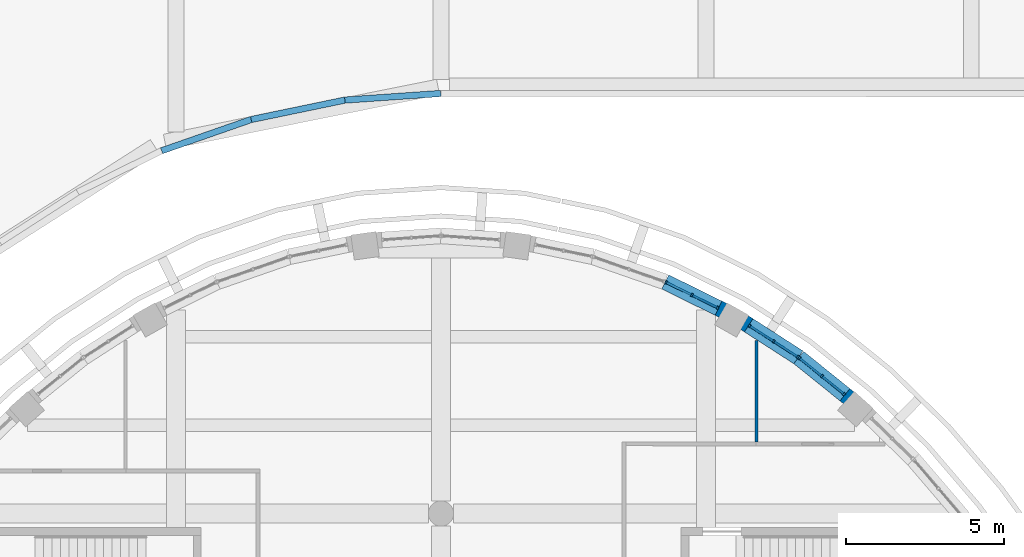
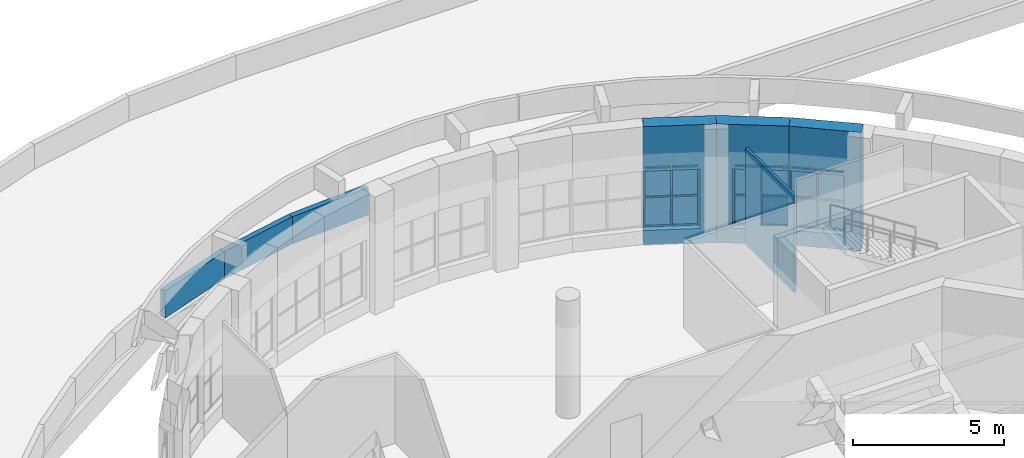
# One storey, part 37 of 79: 27 members, 12 plates, 7 walls, 3 openings, 3 elements without a shape of their own.
"""IFC4 building model written with IfcOpenShell, lengths in metres."""

from ifc_helpers import new_model, si_unit, direction, frame, frame_2d, origin, origin_2d, place, context, subcontext, project, spatial, rectangle, extrude, material, layer, layer_set, material_profile, profile_set, type_object, element, fill, aggregate, save


model = new_model("IFC4")

# Units and contexts
model_context = context("Model", 3, precision=1e-05, world=origin(), true_north=direction((0.0, 1.0)))
body_context = subcontext(model_context, "Body", "Model", "MODEL_VIEW")
ifc_project = project(units=[si_unit("LENGTHUNIT", "METRE"), si_unit("AREAUNIT", "SQUARE_METRE"), si_unit("VOLUMEUNIT", "CUBIC_METRE"), si_unit("PLANEANGLEUNIT", "RADIAN"), si_unit("MASSUNIT", "GRAM", prefix="KILO")], contexts=[model_context])

# Site, building, storey
site_placement = place(None, origin())
site = spatial("IfcSite", under=ifc_project, at=site_placement, CompositionType="ELEMENT")
building_placement = place(site_placement, origin())
building = spatial("IfcBuilding", under=site, at=building_placement, Name="Larchfold Concert Hall", CompositionType="ELEMENT")
storey_placement = place(building_placement, frame((0.0, 0.0, 14.39990234375)))
storey = spatial("IfcBuildingStorey", under=building, at=storey_placement, Name="L03", CompositionType="ELEMENT", Elevation=14.39990234375)

# Curtain wall, members
ifc_material_1 = material(Name="Anodised graphite aluminium curtain wall", Category="aluminium")
ifc_layer_1 = layer(ifc_material_1, 0.10009765625)
ifc_layer_set_1 = layer_set([ifc_layer_1], Name="Anodised graphite aluminium curtain wall")
curtain_wall_type = type_object("IfcCurtainWallType", Name="Curtain wall GB", PredefinedType="NOTDEFINED", material=ifc_layer_set_1)
curtain_wall_1_placement = place(storey_placement, origin())
curtain_wall_1 = element("IfcCurtainWall", 1, at=curtain_wall_1_placement, inside=storey, type_object=curtain_wall_type, Name="Curtain wall CW0014", PredefinedType="NOTDEFINED")
ifc_material_2 = material(Name="Anodised graphite aluminium mullion", Category="aluminium")
ifc_material_profile_1 = material_profile(ifc_material_2, rectangle(XDim=0.10009765625, YDim=0.06005859375, at=origin_2d()))
ifc_profile_set_1 = profile_set([ifc_material_profile_1], Name="Anodised graphite aluminium mullion")
member_type_1 = type_object("IfcMemberType", Name="Aluminium mullion 60x100", PredefinedType="MULLION", material=ifc_profile_set_1)
member_1_placement = place(storey_placement, frame((55.375244140625, 113.5830078125, 0.60009765625), z_axis=(0.0, 0.0, 1.0), x_axis=(-0.627017083036, -0.779005505488, 0.0)))
member_1 = element("IfcMember", 2, at=member_1_placement, type_object=member_type_1, Name="CW0014 mullion 1", PredefinedType="MULLION", context=body_context, shape_type="SweptSolid", body=[
    extrude(rectangle(XDim=0.10009765625, YDim=0.06005859375, at=origin_2d()), origin(), (0.0, 0.0, 1.0), 2.39990234375),
])
member_2_placement = place(storey_placement, frame((54.665283203125, 114.154296875, 0.60009765625), z_axis=(0.0, 0.0, 1.0), x_axis=(-0.627017083036, -0.779005505488, 0.0)))
member_2 = element("IfcMember", 3, at=member_2_placement, type_object=member_type_1, Name="CW0014 mullion 2", PredefinedType="MULLION", context=body_context, shape_type="SweptSolid", body=[
    extrude(rectangle(XDim=0.10009765625, YDim=0.06005859375, at=origin_2d()), origin(), (0.0, 0.0, 1.0), 2.39990234375),
])
member_3_placement = place(storey_placement, frame((53.95556640625, 114.725830078125, 0.60009765625), z_axis=(0.0, 0.0, 1.0), x_axis=(-0.627017083036, -0.779005505488, 0.0)))
member_3 = element("IfcMember", 4, at=member_3_placement, type_object=member_type_1, Name="CW0014 mullion 3", PredefinedType="MULLION", context=body_context, shape_type="SweptSolid", body=[
    extrude(rectangle(XDim=0.10009765625, YDim=0.06005859375, at=origin_2d()), origin(), (0.0, 0.0, 1.0), 2.39990234375),
])

curtain_wall_2_placement = place(storey_placement, origin())
curtain_wall_2 = element("IfcCurtainWall", 5, at=curtain_wall_2_placement, inside=storey, type_object=curtain_wall_type, Name="Curtain wall CW0015", PredefinedType="NOTDEFINED")
member_4_placement = place(storey_placement, frame((53.906982421875, 114.760986328125, 0.60009765625), z_axis=(0.0, 0.0, 1.0), x_axis=(-0.541792977535, -0.84051196868, 0.0)))
member_4 = element("IfcMember", 6, at=member_4_placement, type_object=member_type_1, Name="CW0015 mullion 1", PredefinedType="MULLION", context=body_context, shape_type="SweptSolid", body=[
    extrude(rectangle(XDim=0.10009765625, YDim=0.06005859375, at=origin_2d()), origin(), (0.0, 0.0, 1.0), 2.39990234375),
])
member_5_placement = place(storey_placement, frame((53.14111328125, 115.254638671875, 0.60009765625), z_axis=(0.0, 0.0, 1.0), x_axis=(-0.541792977535, -0.84051196868, 0.0)))
member_5 = element("IfcMember", 7, at=member_5_placement, type_object=member_type_1, Name="CW0015 mullion 2", PredefinedType="MULLION", context=body_context, shape_type="SweptSolid", body=[
    extrude(rectangle(XDim=0.10009765625, YDim=0.06005859375, at=origin_2d()), origin(), (0.0, 0.0, 1.0), 2.39990234375),
])
member_6_placement = place(storey_placement, frame((52.375244140625, 115.748046875, 0.60009765625), z_axis=(0.0, 0.0, 1.0), x_axis=(-0.541792977535, -0.84051196868, 0.0)))
member_6 = element("IfcMember", 8, at=member_6_placement, type_object=member_type_1, Name="CW0015 mullion 3", PredefinedType="MULLION", context=body_context, shape_type="SweptSolid", body=[
    extrude(rectangle(XDim=0.10009765625, YDim=0.06005859375, at=origin_2d()), origin(), (0.0, 0.0, 1.0), 2.39990234375),
])

curtain_wall_3_placement = place(storey_placement, origin())
curtain_wall_3 = element("IfcCurtainWall", 9, at=curtain_wall_3_placement, inside=storey, type_object=curtain_wall_type, Name="Curtain wall CW0016", PredefinedType="NOTDEFINED")
member_7_placement = place(storey_placement, frame((51.3662109375, 116.319580078125, 0.60009765625), z_axis=(0.0, 0.0, 1.0), x_axis=(-0.442432584738, -0.896801766257, 0.0)))
member_7 = element("IfcMember", 10, at=member_7_placement, type_object=member_type_1, Name="CW0016 mullion 1", PredefinedType="MULLION", context=body_context, shape_type="SweptSolid", body=[
    extrude(rectangle(XDim=0.10009765625, YDim=0.06005859375, at=origin_2d()), origin(), (0.0, 0.0, 1.0), 2.39990234375),
])
member_8_placement = place(storey_placement, frame((50.54931640625, 116.72265625, 0.60009765625), z_axis=(0.0, 0.0, 1.0), x_axis=(-0.442432584738, -0.896801766257, 0.0)))
member_8 = element("IfcMember", 11, at=member_8_placement, type_object=member_type_1, Name="CW0016 mullion 2", PredefinedType="MULLION", context=body_context, shape_type="SweptSolid", body=[
    extrude(rectangle(XDim=0.10009765625, YDim=0.06005859375, at=origin_2d()), origin(), (0.0, 0.0, 1.0), 2.39990234375),
])
member_9_placement = place(storey_placement, frame((49.732421875, 117.125732421875, 0.60009765625), z_axis=(0.0, 0.0, 1.0), x_axis=(-0.442432584738, -0.896801766257, 0.0)))
member_9 = element("IfcMember", 12, at=member_9_placement, type_object=member_type_1, Name="CW0016 mullion 3", PredefinedType="MULLION", context=body_context, shape_type="SweptSolid", body=[
    extrude(rectangle(XDim=0.10009765625, YDim=0.06005859375, at=origin_2d()), origin(), (0.0, 0.0, 1.0), 2.39990234375),
])

# Member
ifc_material_3 = material(Name="Anodised graphite aluminium transom", Category="aluminium")
ifc_material_profile_2 = material_profile(ifc_material_3, rectangle(XDim=0.080078125, YDim=0.06005859375, at=origin_2d()))
ifc_profile_set_2 = profile_set([ifc_material_profile_2], Name="Anodised graphite aluminium transom")
member_type_2 = type_object("IfcMemberType", Name="Aluminium transom 60x80", PredefinedType="USERDEFINED", material=ifc_profile_set_2)
member_10_placement = place(storey_placement, frame((55.35205078125, 113.601806640625, 0.630126953125), z_axis=(-0.779131241364, 0.626860836813, 0.0), x_axis=(-0.626860836813, -0.779131241364, 0.0)))
member_10 = element("IfcMember", 13, at=member_10_placement, type_object=member_type_2, Name="CW0014 transom 1.1", ObjectType="TRANSOM", PredefinedType="USERDEFINED", context=body_context, shape_type="SweptSolid", body=[
    extrude(rectangle(XDim=0.080078125, YDim=0.06005859375, at=origin_2d()), origin(), (0.0, 0.0, 1.0), 0.851318359375),
])

member_11_placement = place(storey_placement, frame((55.35205078125, 113.601806640625, 1.800048828125), z_axis=(-0.779131241364, 0.626860836813, 0.0), x_axis=(-0.626860836813, -0.779131241364, 0.0)))
member_11 = element("IfcMember", 14, at=member_11_placement, type_object=member_type_2, Name="CW0014 transom 1.2", ObjectType="TRANSOM", PredefinedType="USERDEFINED", context=body_context, shape_type="SweptSolid", body=[
    extrude(rectangle(XDim=0.080078125, YDim=0.06005859375, at=origin_2d()), origin(), (0.0, 0.0, 1.0), 0.851318359375),
])

member_12_placement = place(storey_placement, frame((55.35205078125, 113.601806640625, 2.969970703125), z_axis=(-0.779131241364, 0.626860836813, 0.0), x_axis=(-0.626860836813, -0.779131241364, 0.0)))
member_12 = element("IfcMember", 15, at=member_12_placement, type_object=member_type_2, Name="CW0014 transom 1.3", ObjectType="TRANSOM", PredefinedType="USERDEFINED", context=body_context, shape_type="SweptSolid", body=[
    extrude(rectangle(XDim=0.080078125, YDim=0.06005859375, at=origin_2d()), origin(), (0.0, 0.0, 1.0), 0.851318359375),
])

member_13_placement = place(storey_placement, frame((54.64208984375, 114.17333984375, 0.630126953125), z_axis=(-0.779131241364, 0.626860836813, 0.0), x_axis=(-0.626860836813, -0.779131241364, 0.0)))
member_13 = element("IfcMember", 16, at=member_13_placement, type_object=member_type_2, Name="CW0014 transom 2.1", ObjectType="TRANSOM", PredefinedType="USERDEFINED", context=body_context, shape_type="SweptSolid", body=[
    extrude(rectangle(XDim=0.080078125, YDim=0.06005859375, at=origin_2d()), origin(), (0.0, 0.0, 1.0), 0.851318359375),
])

member_14_placement = place(storey_placement, frame((54.64208984375, 114.17333984375, 1.800048828125), z_axis=(-0.779131241364, 0.626860836813, 0.0), x_axis=(-0.626860836813, -0.779131241364, 0.0)))
member_14 = element("IfcMember", 17, at=member_14_placement, type_object=member_type_2, Name="CW0014 transom 2.2", ObjectType="TRANSOM", PredefinedType="USERDEFINED", context=body_context, shape_type="SweptSolid", body=[
    extrude(rectangle(XDim=0.080078125, YDim=0.06005859375, at=origin_2d()), origin(), (0.0, 0.0, 1.0), 0.851318359375),
])

member_15_placement = place(storey_placement, frame((54.64208984375, 114.17333984375, 2.969970703125), z_axis=(-0.779131241364, 0.626860836813, 0.0), x_axis=(-0.626860836813, -0.779131241364, 0.0)))
member_15 = element("IfcMember", 18, at=member_15_placement, type_object=member_type_2, Name="CW0014 transom 2.3", ObjectType="TRANSOM", PredefinedType="USERDEFINED", context=body_context, shape_type="SweptSolid", body=[
    extrude(rectangle(XDim=0.080078125, YDim=0.06005859375, at=origin_2d()), origin(), (0.0, 0.0, 1.0), 0.851318359375),
])

member_16_placement = place(storey_placement, frame((53.881591796875, 114.777099609375, 0.630126953125), z_axis=(-0.840469431903, 0.541858961388, 0.0), x_axis=(-0.541858961388, -0.840469431903, 0.0)))
member_16 = element("IfcMember", 19, at=member_16_placement, type_object=member_type_2, Name="CW0015 transom 1.1", ObjectType="TRANSOM", PredefinedType="USERDEFINED", context=body_context, shape_type="SweptSolid", body=[
    extrude(rectangle(XDim=0.080078125, YDim=0.06005859375, at=origin_2d()), origin(), (0.0, 0.0, 1.0), 0.85107421875),
])

member_17_placement = place(storey_placement, frame((53.881591796875, 114.777099609375, 1.800048828125), z_axis=(-0.840469431903, 0.541858961388, 0.0), x_axis=(-0.541858961388, -0.840469431903, 0.0)))
member_17 = element("IfcMember", 20, at=member_17_placement, type_object=member_type_2, Name="CW0015 transom 1.2", ObjectType="TRANSOM", PredefinedType="USERDEFINED", context=body_context, shape_type="SweptSolid", body=[
    extrude(rectangle(XDim=0.080078125, YDim=0.06005859375, at=origin_2d()), origin(), (0.0, 0.0, 1.0), 0.85107421875),
])

member_18_placement = place(storey_placement, frame((53.881591796875, 114.777099609375, 2.969970703125), z_axis=(-0.840469431903, 0.541858961388, 0.0), x_axis=(-0.541858961388, -0.840469431903, 0.0)))
member_18 = element("IfcMember", 21, at=member_18_placement, type_object=member_type_2, Name="CW0015 transom 1.3", ObjectType="TRANSOM", PredefinedType="USERDEFINED", context=body_context, shape_type="SweptSolid", body=[
    extrude(rectangle(XDim=0.080078125, YDim=0.06005859375, at=origin_2d()), origin(), (0.0, 0.0, 1.0), 0.85107421875),
])

member_19_placement = place(storey_placement, frame((53.115966796875, 115.270751953125, 0.630126953125), z_axis=(-0.840469431903, 0.541858961388, 0.0), x_axis=(-0.541858961388, -0.840469431903, 0.0)))
member_19 = element("IfcMember", 22, at=member_19_placement, type_object=member_type_2, Name="CW0015 transom 2.1", ObjectType="TRANSOM", PredefinedType="USERDEFINED", context=body_context, shape_type="SweptSolid", body=[
    extrude(rectangle(XDim=0.080078125, YDim=0.06005859375, at=origin_2d()), origin(), (0.0, 0.0, 1.0), 0.85107421875),
])

member_20_placement = place(storey_placement, frame((53.115966796875, 115.270751953125, 1.800048828125), z_axis=(-0.840469431903, 0.541858961388, 0.0), x_axis=(-0.541858961388, -0.840469431903, 0.0)))
member_20 = element("IfcMember", 23, at=member_20_placement, type_object=member_type_2, Name="CW0015 transom 2.2", ObjectType="TRANSOM", PredefinedType="USERDEFINED", context=body_context, shape_type="SweptSolid", body=[
    extrude(rectangle(XDim=0.080078125, YDim=0.06005859375, at=origin_2d()), origin(), (0.0, 0.0, 1.0), 0.85107421875),
])

member_21_placement = place(storey_placement, frame((53.115966796875, 115.270751953125, 2.969970703125), z_axis=(-0.840469431903, 0.541858961388, 0.0), x_axis=(-0.541858961388, -0.840469431903, 0.0)))
member_21 = element("IfcMember", 24, at=member_21_placement, type_object=member_type_2, Name="CW0015 transom 2.3", ObjectType="TRANSOM", PredefinedType="USERDEFINED", context=body_context, shape_type="SweptSolid", body=[
    extrude(rectangle(XDim=0.080078125, YDim=0.06005859375, at=origin_2d()), origin(), (0.0, 0.0, 1.0), 0.85107421875),
])

member_22_placement = place(storey_placement, frame((51.33935546875, 116.3330078125, 0.630126953125), z_axis=(-0.89682409677, 0.442387318368, 0.0), x_axis=(-0.442387318368, -0.89682409677, 0.0)))
member_22 = element("IfcMember", 25, at=member_22_placement, type_object=member_type_2, Name="CW0016 transom 1.1", ObjectType="TRANSOM", PredefinedType="USERDEFINED", context=body_context, shape_type="SweptSolid", body=[
    extrude(rectangle(XDim=0.080078125, YDim=0.06005859375, at=origin_2d()), origin(), (0.0, 0.0, 1.0), 0.85107421875),
])

member_23_placement = place(storey_placement, frame((51.33935546875, 116.3330078125, 1.800048828125), z_axis=(-0.89682409677, 0.442387318368, 0.0), x_axis=(-0.442387318368, -0.89682409677, 0.0)))
member_23 = element("IfcMember", 26, at=member_23_placement, type_object=member_type_2, Name="CW0016 transom 1.2", ObjectType="TRANSOM", PredefinedType="USERDEFINED", context=body_context, shape_type="SweptSolid", body=[
    extrude(rectangle(XDim=0.080078125, YDim=0.06005859375, at=origin_2d()), origin(), (0.0, 0.0, 1.0), 0.85107421875),
])

member_24_placement = place(storey_placement, frame((51.33935546875, 116.3330078125, 2.969970703125), z_axis=(-0.89682409677, 0.442387318368, 0.0), x_axis=(-0.442387318368, -0.89682409677, 0.0)))
member_24 = element("IfcMember", 27, at=member_24_placement, type_object=member_type_2, Name="CW0016 transom 1.3", ObjectType="TRANSOM", PredefinedType="USERDEFINED", context=body_context, shape_type="SweptSolid", body=[
    extrude(rectangle(XDim=0.080078125, YDim=0.06005859375, at=origin_2d()), origin(), (0.0, 0.0, 1.0), 0.85107421875),
])

member_25_placement = place(storey_placement, frame((50.5224609375, 116.73583984375, 0.630126953125), z_axis=(-0.89682409677, 0.442387318368, 0.0), x_axis=(-0.442387318368, -0.89682409677, 0.0)))
member_25 = element("IfcMember", 28, at=member_25_placement, type_object=member_type_2, Name="CW0016 transom 2.1", ObjectType="TRANSOM", PredefinedType="USERDEFINED", context=body_context, shape_type="SweptSolid", body=[
    extrude(rectangle(XDim=0.080078125, YDim=0.06005859375, at=origin_2d()), origin(), (0.0, 0.0, 1.0), 0.85107421875),
])

member_26_placement = place(storey_placement, frame((50.5224609375, 116.73583984375, 1.800048828125), z_axis=(-0.89682409677, 0.442387318368, 0.0), x_axis=(-0.442387318368, -0.89682409677, 0.0)))
member_26 = element("IfcMember", 29, at=member_26_placement, type_object=member_type_2, Name="CW0016 transom 2.2", ObjectType="TRANSOM", PredefinedType="USERDEFINED", context=body_context, shape_type="SweptSolid", body=[
    extrude(rectangle(XDim=0.080078125, YDim=0.06005859375, at=origin_2d()), origin(), (0.0, 0.0, 1.0), 0.85107421875),
])

member_27_placement = place(storey_placement, frame((50.5224609375, 116.73583984375, 2.969970703125), z_axis=(-0.89682409677, 0.442387318368, 0.0), x_axis=(-0.442387318368, -0.89682409677, 0.0)))
member_27 = element("IfcMember", 30, at=member_27_placement, type_object=member_type_2, Name="CW0016 transom 2.3", ObjectType="TRANSOM", PredefinedType="USERDEFINED", context=body_context, shape_type="SweptSolid", body=[
    extrude(rectangle(XDim=0.080078125, YDim=0.06005859375, at=origin_2d()), origin(), (0.0, 0.0, 1.0), 0.85107421875),
])

# Plate
ifc_material_4 = material(Name="Insulated glazing unit, glass", Category="glass")
ifc_layer_2 = layer(ifc_material_4, 0.02392578125)
ifc_layer_set_2 = layer_set([ifc_layer_2], Name="Insulated glazing unit, glass")
plate_type_1 = type_object("IfcPlateType", Name="Glass panel 24", PredefinedType="CURTAIN_PANEL", material=ifc_layer_set_2)
plate_1_placement = place(storey_placement, frame((55.020263671875, 113.86865234375, 1.830078125), z_axis=(0.0, 0.0, 1.0), x_axis=(-0.779005505488, 0.627017083036, 0.0)))
plate_1 = element("IfcPlate", 31, at=plate_1_placement, type_object=plate_type_1, Name="CW0014 panel 1.2", PredefinedType="CURTAIN_PANEL", context=body_context, shape_type="SweptSolid", body=[
    extrude(rectangle(XDim=0.851318359375, YDim=0.02392578125, at=origin_2d()), origin(), (0.0, 0.0, 1.0), 1.10986328125),
])

plate_2_placement = place(storey_placement, frame((54.310546875, 114.440185546875, 1.830078125), z_axis=(0.0, 0.0, 1.0), x_axis=(-0.779005505488, 0.627017083036, 0.0)))
plate_2 = element("IfcPlate", 32, at=plate_2_placement, type_object=plate_type_1, Name="CW0014 panel 2.2", PredefinedType="CURTAIN_PANEL", context=body_context, shape_type="SweptSolid", body=[
    extrude(rectangle(XDim=0.851318359375, YDim=0.02392578125, at=origin_2d()), origin(), (0.0, 0.0, 1.0), 1.10986328125),
])

plate_3_placement = place(storey_placement, frame((53.52392578125, 115.0078125, 1.830078125), z_axis=(0.0, 0.0, 1.0), x_axis=(-0.84051196868, 0.541792977535, 0.0)))
plate_3 = element("IfcPlate", 33, at=plate_3_placement, type_object=plate_type_1, Name="CW0015 panel 1.2", PredefinedType="CURTAIN_PANEL", context=body_context, shape_type="SweptSolid", body=[
    extrude(rectangle(XDim=0.85107421875, YDim=0.02392578125, at=origin_2d()), origin(), (0.0, 0.0, 1.0), 1.10986328125),
])

plate_4_placement = place(storey_placement, frame((52.75830078125, 115.501220703125, 1.830078125), z_axis=(0.0, 0.0, 1.0), x_axis=(-0.84051196868, 0.541792977535, 0.0)))
plate_4 = element("IfcPlate", 34, at=plate_4_placement, type_object=plate_type_1, Name="CW0015 panel 2.2", PredefinedType="CURTAIN_PANEL", context=body_context, shape_type="SweptSolid", body=[
    extrude(rectangle(XDim=0.85107421875, YDim=0.02392578125, at=origin_2d()), origin(), (0.0, 0.0, 1.0), 1.10986328125),
])

plate_5_placement = place(storey_placement, frame((50.957763671875, 116.521240234375, 1.830078125), z_axis=(0.0, 0.0, 1.0), x_axis=(-0.896801766257, 0.442432584738, 0.0)))
plate_5 = element("IfcPlate", 35, at=plate_5_placement, type_object=plate_type_1, Name="CW0016 panel 1.2", PredefinedType="CURTAIN_PANEL", context=body_context, shape_type="SweptSolid", body=[
    extrude(rectangle(XDim=0.850830078125, YDim=0.02392578125, at=origin_2d()), origin(), (0.0, 0.0, 1.0), 1.10986328125),
])

plate_6_placement = place(storey_placement, frame((50.140869140625, 116.924072265625, 1.830078125), z_axis=(0.0, 0.0, 1.0), x_axis=(-0.896801766257, 0.442432584738, 0.0)))
plate_6 = element("IfcPlate", 36, at=plate_6_placement, type_object=plate_type_1, Name="CW0016 panel 2.2", PredefinedType="CURTAIN_PANEL", context=body_context, shape_type="SweptSolid", body=[
    extrude(rectangle(XDim=0.850830078125, YDim=0.02392578125, at=origin_2d()), origin(), (0.0, 0.0, 1.0), 1.10986328125),
])

ifc_material_5 = material(Name="White insulated panel")
ifc_layer_3 = layer(ifc_material_5, 0.050048828125)
ifc_layer_set_3 = layer_set([ifc_layer_3], Name="White insulated panel")
plate_type_2 = type_object("IfcPlateType", Name="Insulated spandrel panel 50", PredefinedType="CURTAIN_PANEL", material=ifc_layer_set_3)
plate_7_placement = place(storey_placement, frame((55.020263671875, 113.86865234375, 0.66015625), z_axis=(0.0, 0.0, 1.0), x_axis=(-0.779005505488, 0.627017083036, 0.0)))
plate_7 = element("IfcPlate", 37, at=plate_7_placement, type_object=plate_type_2, Name="CW0014 panel 1.1", PredefinedType="CURTAIN_PANEL", context=body_context, shape_type="SweptSolid", body=[
    extrude(rectangle(XDim=0.851318359375, YDim=0.050048828125, at=origin_2d()), origin(), (0.0, 0.0, 1.0), 1.10986328125),
])

plate_8_placement = place(storey_placement, frame((54.310546875, 114.440185546875, 0.66015625), z_axis=(0.0, 0.0, 1.0), x_axis=(-0.779005505488, 0.627017083036, 0.0)))
plate_8 = element("IfcPlate", 38, at=plate_8_placement, type_object=plate_type_2, Name="CW0014 panel 2.1", PredefinedType="CURTAIN_PANEL", context=body_context, shape_type="SweptSolid", body=[
    extrude(rectangle(XDim=0.851318359375, YDim=0.050048828125, at=origin_2d()), origin(), (0.0, 0.0, 1.0), 1.10986328125),
])

aggregate(curtain_wall_1, [member_1, member_2, member_3, member_10, member_11, member_12, plate_7, plate_1, member_13, member_14, member_15, plate_8, plate_2])

plate_9_placement = place(storey_placement, frame((53.52392578125, 115.0078125, 0.66015625), z_axis=(0.0, 0.0, 1.0), x_axis=(-0.84051196868, 0.541792977535, 0.0)))
plate_9 = element("IfcPlate", 39, at=plate_9_placement, type_object=plate_type_2, Name="CW0015 panel 1.1", PredefinedType="CURTAIN_PANEL", context=body_context, shape_type="SweptSolid", body=[
    extrude(rectangle(XDim=0.85107421875, YDim=0.050048828125, at=origin_2d()), origin(), (0.0, 0.0, 1.0), 1.10986328125),
])

plate_10_placement = place(storey_placement, frame((52.75830078125, 115.501220703125, 0.66015625), z_axis=(0.0, 0.0, 1.0), x_axis=(-0.84051196868, 0.541792977535, 0.0)))
plate_10 = element("IfcPlate", 40, at=plate_10_placement, type_object=plate_type_2, Name="CW0015 panel 2.1", PredefinedType="CURTAIN_PANEL", context=body_context, shape_type="SweptSolid", body=[
    extrude(rectangle(XDim=0.85107421875, YDim=0.050048828125, at=origin_2d()), origin(), (0.0, 0.0, 1.0), 1.10986328125),
])

aggregate(curtain_wall_2, [member_4, member_5, member_6, member_16, member_17, member_18, plate_9, plate_3, member_19, member_20, member_21, plate_10, plate_4])

plate_11_placement = place(storey_placement, frame((50.957763671875, 116.521240234375, 0.66015625), z_axis=(0.0, 0.0, 1.0), x_axis=(-0.896801766257, 0.442432584738, 0.0)))
plate_11 = element("IfcPlate", 41, at=plate_11_placement, type_object=plate_type_2, Name="CW0016 panel 1.1", PredefinedType="CURTAIN_PANEL", context=body_context, shape_type="SweptSolid", body=[
    extrude(rectangle(XDim=0.850830078125, YDim=0.050048828125, at=origin_2d()), origin(), (0.0, 0.0, 1.0), 1.10986328125),
])

plate_12_placement = place(storey_placement, frame((50.140869140625, 116.924072265625, 0.66015625), z_axis=(0.0, 0.0, 1.0), x_axis=(-0.896801766257, 0.442432584738, 0.0)))
plate_12 = element("IfcPlate", 42, at=plate_12_placement, type_object=plate_type_2, Name="CW0016 panel 2.1", PredefinedType="CURTAIN_PANEL", context=body_context, shape_type="SweptSolid", body=[
    extrude(rectangle(XDim=0.850830078125, YDim=0.050048828125, at=origin_2d()), origin(), (0.0, 0.0, 1.0), 1.10986328125),
])

aggregate(curtain_wall_3, [member_7, member_8, member_9, member_22, member_23, member_24, plate_11, plate_5, member_25, member_26, member_27, plate_12, plate_6])

# Walls
ifc_material_6 = material(Name="White render on insulated block")
ifc_layer_4 = layer(ifc_material_6, 0.199951171875)
ifc_layer_set_4 = layer_set([ifc_layer_4], Name="White render on insulated block")
wall_type_1 = type_object("IfcWallType", Name="Roof parapet 200", PredefinedType="PARAPET", material=ifc_layer_set_4)
wall_1_placement = place(storey_placement, frame((33.747314453125, 121.29443359375, 0.0), z_axis=(0.0, 0.0, 1.0), x_axis=(0.944245433803, 0.329242404229, 0.0)))
element("IfcWall", 43, at=wall_1_placement, inside=storey, type_object=wall_type_1, Name="Parapet PW0037", PredefinedType="PARAPET", context=body_context, shape_type="SweptSolid", body=[
    extrude(rectangle(XDim=3.00390625, YDim=0.199951171875, at=frame_2d((1.501953125, 0.0))), origin(), (0.0, 0.0, 1.0), 1.10009765625),
])
wall_2_placement = place(storey_placement, frame((36.583740234375, 122.283447265625, 0.0), z_axis=(0.0, 0.0, 1.0), x_axis=(0.979114183992, 0.203311127844, 0.0)))
element("IfcWall", 44, at=wall_2_placement, inside=storey, type_object=wall_type_1, Name="Parapet PW0038", PredefinedType="PARAPET", context=body_context, shape_type="SweptSolid", body=[
    extrude(rectangle(XDim=3.031982421875, YDim=0.199951171875, at=frame_2d((1.51611328125, 0.0))), origin(), (0.0, 0.0, 1.0), 1.10009765625),
])
wall_3_placement = place(storey_placement, frame((39.552490234375, 122.89990234375, 0.0), z_axis=(0.0, 0.0, 1.0), x_axis=(0.997613616078, 0.069043993341, 0.0)))
element("IfcWall", 45, at=wall_3_placement, inside=storey, type_object=wall_type_1, Name="Parapet PW0039", PredefinedType="PARAPET", context=body_context, shape_type="SweptSolid", body=[
    extrude(rectangle(XDim=3.048095703125, YDim=0.199951171875, at=frame_2d((1.52392578125, 0.0))), origin(), (0.0, 0.0, 1.0), 1.10009765625),
])
ifc_material_7 = material(Name="Plasterboard partition on steel studs", Category="steel")
ifc_layer_5 = layer(ifc_material_7, 0.10009765625)
ifc_layer_set_5 = layer_set([ifc_layer_5], Name="Plasterboard partition on steel studs")
wall_type_2 = type_object("IfcWallType", Name="Stud partition 100", PredefinedType="PARTITIONING", material=ifc_layer_set_5)
wall_4_placement = place(storey_placement, frame((52.60009765625, 112.070068359375, 0.0), z_axis=(0.0, 0.0, 1.0), x_axis=(0.0, 1.0, 0.0)))
element("IfcWall", 46, at=wall_4_placement, inside=storey, type_object=wall_type_2, Name="Partition IW0009", PredefinedType="PARTITIONING", context=body_context, shape_type="SweptSolid", body=[
    extrude(rectangle(XDim=3.2109375, YDim=0.10009765625, at=frame_2d((1.60546875, 0.0))), origin(), (0.0, 0.0, 1.0), 3.89990234375),
])

# Wall, opening
ifc_material_8 = material(Name="Concrete C30/37", Category="concrete")
ifc_layer_6 = layer(ifc_material_8, 0.5)
ifc_layer_set_6 = layer_set([ifc_layer_6], Name="Concrete C30/37")
wall_type_3 = type_object("IfcWallType", Name="Wall RC 500 drum facade", PredefinedType="SOLIDWALL", material=ifc_layer_set_6)
wall_5_placement = place(storey_placement, frame((55.82763671875, 113.218994140625, 0.0), z_axis=(0.0, 0.0, 1.0), x_axis=(-0.779015271296, 0.627004949811, 0.0)))
wall_5 = element("IfcWall", 47, at=wall_5_placement, inside=storey, type_object=wall_type_3, Name="Wall DW014", PredefinedType="SOLIDWALL", context=body_context, shape_type="SweptSolid", body=[
    extrude(rectangle(XDim=2.43310546875, YDim=0.5, at=frame_2d((1.216552734375, 0.0))), origin(), (0.0, 0.0, 1.0), 4.800048828125),
])
opening_1_placement = place(wall_5_placement, frame((0.550537109375, 0.0, 0.60009765625)))
opening_1 = element("IfcOpeningElement", 48, at=opening_1_placement, cuts=wall_5, Name="Opening CW0014", PredefinedType="OPENING", context=body_context, shape_type="SweptSolid", body=[
    extrude(rectangle(XDim=1.882568359375, YDim=2.39990234375, at=frame_2d((0.94140625, 1.199951171875))), frame((0.0, 0.260009765625, 0.0), z_axis=(0.0, -1.0, 0.0), x_axis=(1.0, 0.0, 0.0)), (0.0, 0.0, 1.0), 0.52001953125),
])

fill(opening_1, curtain_wall_1)

wall_6_placement = place(storey_placement, frame((53.93212890625, 114.74462890625, 0.0), z_axis=(0.0, 0.0, 1.0), x_axis=(-0.840519246372, 0.541781687101, 0.0)))
wall_6 = element("IfcWall", 49, at=wall_6_placement, inside=storey, type_object=wall_type_3, Name="Wall DW015", PredefinedType="SOLIDWALL", context=body_context, shape_type="SweptSolid", body=[
    extrude(rectangle(XDim=2.432861328125, YDim=0.5, at=frame_2d((1.21630859375, 0.0))), origin(), (0.0, 0.0, 1.0), 4.800048828125),
])
opening_2_placement = place(wall_6_placement, frame((0.0, 0.0, 0.60009765625)))
opening_2 = element("IfcOpeningElement", 50, at=opening_2_placement, cuts=wall_6, Name="Opening CW0015", PredefinedType="OPENING", context=body_context, shape_type="SweptSolid", body=[
    extrude(rectangle(XDim=1.88232421875, YDim=2.39990234375, at=frame_2d((0.941162109375, 1.199951171875))), frame((0.0, 0.260009765625, 0.0), z_axis=(0.0, -1.0, 0.0), x_axis=(1.0, 0.0, 0.0)), (0.0, 0.0, 1.0), 0.52001953125),
])

fill(opening_2, curtain_wall_2)

wall_7_placement = place(storey_placement, frame((51.88720703125, 116.062744140625, 0.0), z_axis=(0.0, 0.0, 1.0), x_axis=(-0.896822873966, 0.442389797274, 0.0)))
wall_7 = element("IfcWall", 51, at=wall_7_placement, inside=storey, type_object=wall_type_3, Name="Wall DW016", PredefinedType="SOLIDWALL", context=body_context, shape_type="SweptSolid", body=[
    extrude(rectangle(XDim=2.4326171875, YDim=0.5, at=frame_2d((1.21630859375, 0.0))), origin(), (0.0, 0.0, 1.0), 4.800048828125),
])
opening_3_placement = place(wall_7_placement, frame((0.551025390625, 0.0, 0.60009765625)))
opening_3 = element("IfcOpeningElement", 52, at=opening_3_placement, cuts=wall_7, Name="Opening CW0016", PredefinedType="OPENING", context=body_context, shape_type="SweptSolid", body=[
    extrude(rectangle(XDim=1.881591796875, YDim=2.39990234375, at=frame_2d((0.94091796875, 1.199951171875))), frame((0.0, 0.260009765625, 0.0), z_axis=(0.0, -1.0, 0.0), x_axis=(1.0, 0.0, 0.0)), (0.0, 0.0, 1.0), 0.52001953125),
])

fill(opening_3, curtain_wall_3)

save(model, "model.ifc")
